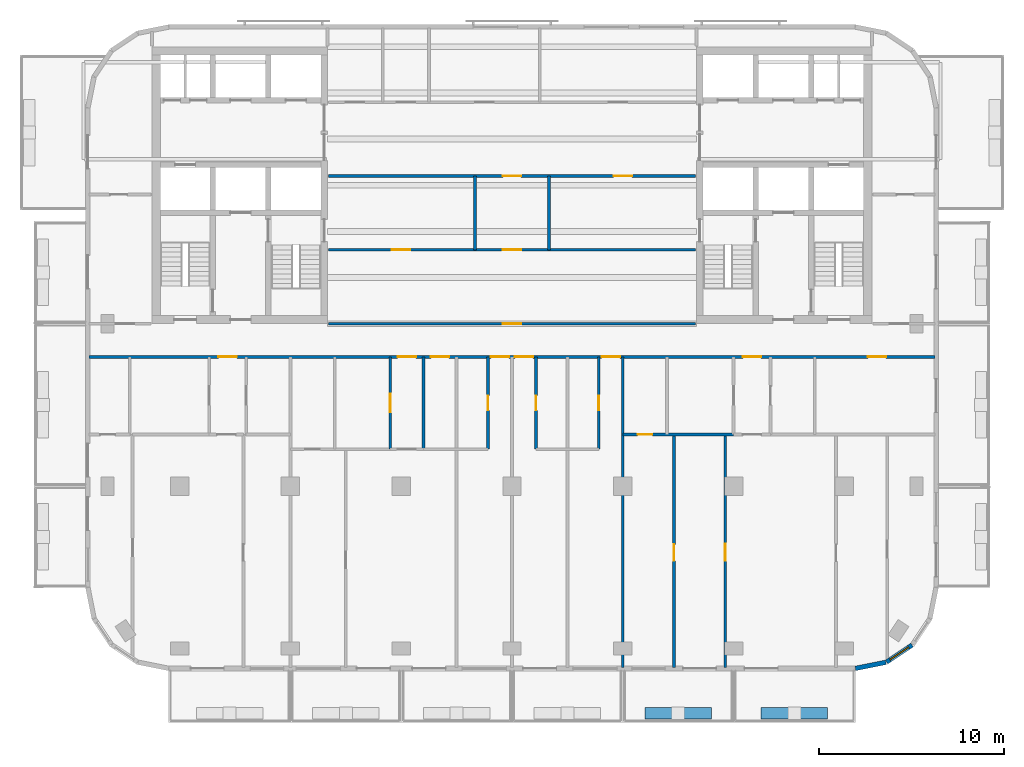
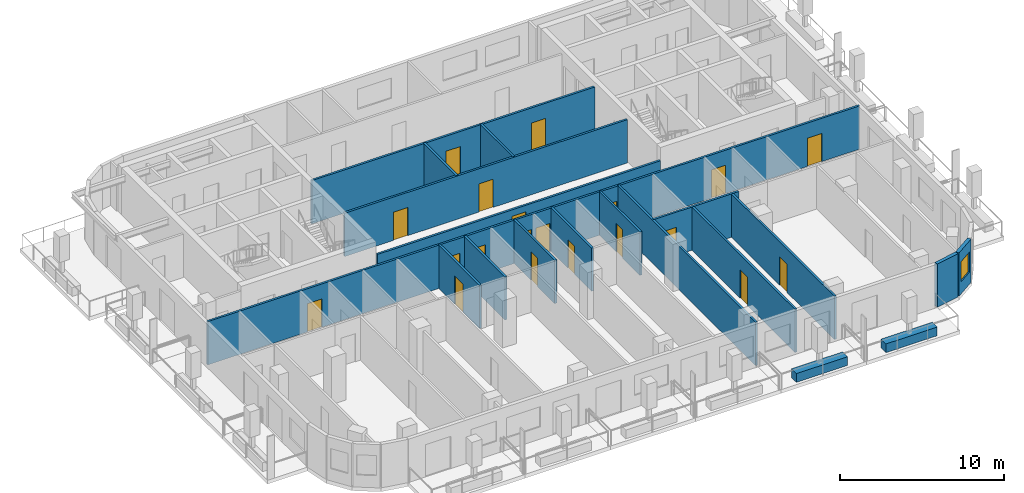
# One storey, part 4 of 11: 20 doors, 19 walls, 1 window, 21 openings.
"""IFC4 building model written with IfcOpenShell, lengths in metres."""

from ifc_helpers import new_model, si_unit, direction, frame, frame_2d, origin, place, context, subcontext, project, spatial, rectangle, extrude, material, layer, layer_set, type_object, element, fill, save


model = new_model("IFC4")

# Units and contexts
model_context = context("Model", 3, precision=1e-05, world=origin(), true_north=direction((0.0, 1.0)))
body_context = subcontext(model_context, "Body", "Model", "MODEL_VIEW")
ifc_project = project(units=[si_unit("LENGTHUNIT", "METRE"), si_unit("AREAUNIT", "SQUARE_METRE"), si_unit("VOLUMEUNIT", "CUBIC_METRE"), si_unit("PLANEANGLEUNIT", "RADIAN"), si_unit("MASSUNIT", "GRAM", prefix="KILO")], contexts=[model_context])

# Site, building, storey
site_placement = place(None, origin())
site = spatial("IfcSite", under=ifc_project, at=site_placement, CompositionType="ELEMENT")
building_placement = place(site_placement, origin())
building = spatial("IfcBuilding", under=site, at=building_placement, Name="Torana Hotel and Residences", CompositionType="ELEMENT")
storey_placement = place(building_placement, frame((0.0, 0.0, 291.10009765625)))
storey = spatial("IfcBuildingStorey", under=building, at=storey_placement, Name="L77", CompositionType="ELEMENT", Elevation=291.10009765625)

# Wall
ifc_material_1 = material(Name="Black aluminium composite panel", Category="aluminium")
ifc_layer_1 = layer(ifc_material_1, 0.00390625, Name="Cladding", Category="cladding")
ifc_material_2 = material(Name="Ventilated air cavity")
ifc_layer_2 = layer(ifc_material_2, 0.0400390625, Name="Ventilated cavity", Category="cavity")
ifc_material_3 = material(Name="Mineral wool insulation")
ifc_layer_3 = layer(ifc_material_3, 0.090087890625, Name="Insulation", Category="insulation")
ifc_material_4 = material(Name="Steel S280GD", Category="steel")
ifc_layer_4 = layer(ifc_material_4, 0.092041015625, Name="Steel stud frame", Category="structure")
ifc_material_5 = material(Name="Fire rated plasterboard")
ifc_layer_5 = layer(ifc_material_5, 0.011962890625, Name="Inner board", Category="finish")
ifc_layer_6 = layer(ifc_material_5, 0.011962890625, Name="Second board", Category="finish")
ifc_layer_set_1 = layer_set([ifc_layer_1, ifc_layer_2, ifc_layer_3, ifc_layer_4, ifc_layer_5, ifc_layer_6], Name="EW1 EXTERNAL WALL BLACK METAL CLAD 250")
wall_type_1 = type_object("IfcWallType", Name="EW1 EXTERNAL WALL BLACK METAL CLAD 250", PredefinedType="SOLIDWALL", material=ifc_layer_set_1)
wall_1_placement = place(storey_placement, frame((18.599853515625, -33.672607421875, 0.0), z_axis=(0.0, 0.0, 1.0), x_axis=(0.980770110232, 0.195166572128, 0.0)))
element("IfcWall", 1, at=wall_1_placement, inside=storey, type_object=wall_type_1, Name="External wall L77 e0.15", PredefinedType="SOLIDWALL", context=body_context, shape_type="SweptSolid", body=[
    extrude(rectangle(XDim=1.68115234375, YDim=0.25, at=frame_2d((0.840576171875, 0.0))), origin(), (0.0, 0.0, 1.0), 3.219970703125),
])

# Wall, opening, window
wall_2_placement = place(storey_placement, frame((20.2939453125, -33.325927734375, 0.0), z_axis=(0.0, 0.0, 1.0), x_axis=(0.831482937015, 0.55555029066, 0.0)))
wall_2 = element("IfcWall", 2, at=wall_2_placement, inside=storey, type_object=wall_type_1, Name="External wall L77 e0.16", PredefinedType="SOLIDWALL", context=body_context, shape_type="SweptSolid", body=[
    extrude(rectangle(XDim=1.65625, YDim=0.25, at=frame_2d((0.828125, 0.0))), origin(), (0.0, 0.0, 1.0), 3.219970703125),
])
opening_1_placement = place(wall_2_placement, frame((0.228271484375, 0.0, 0.89990234375)))
opening_1 = element("IfcOpeningElement", 3, at=opening_1_placement, cuts=wall_2, Name="Opening W5", PredefinedType="OPENING", context=body_context, shape_type="SweptSolid", body=[
    extrude(rectangle(XDim=1.199951171875, YDim=1.5, at=frame_2d((0.60009765625, 0.75))), frame((0.0, 0.135009765625, 0.0), z_axis=(0.0, -1.0, 0.0), x_axis=(1.0, 0.0, 0.0)), (0.0, 0.0, 1.0), 0.27001953125),
])
ifc_material_6 = material(Name="Dark glass in black aluminium frame", Category="aluminium")
window_type = type_object("IfcWindowType", Name="W5 CORNER FACET WINDOW 1200x1500", PartitioningType="SINGLE_PANEL", PredefinedType="WINDOW", material=ifc_material_6)
window_placement = place(opening_1_placement, origin())
window = element("IfcWindow", 4, at=window_placement, inside=storey, type_object=window_type, Name="Window L77 e0.16", OverallHeight=1.5, OverallWidth=1.199951171875, PartitioningType="SINGLE_PANEL", PredefinedType="WINDOW", context=body_context, shape_type="SweptSolid", body=[
    extrude(rectangle(XDim=1.199951171875, YDim=1.5, at=frame_2d((0.60009765625, 0.75))), frame((0.0, 0.030029296875, 0.0), z_axis=(0.0, -1.0, 0.0), x_axis=(1.0, 0.0, 0.0)), (0.0, 0.0, 1.0), 0.06005859375),
])
fill(opening_1, window)

# Walls
ifc_material_7 = material(Name="Gypsum plaster")
ifc_layer_7 = layer(ifc_material_7, 0.014892578125, Name="Plaster", Category="finish")
ifc_material_8 = material(Name="Concrete blockwork", Category="masonry")
ifc_layer_8 = layer(ifc_material_8, 0.1201171875, Name="Blockwork", Category="structure")
ifc_layer_9 = layer(ifc_material_7, 0.014892578125, Name="Plaster", Category="finish")
ifc_layer_set_2 = layer_set([ifc_layer_7, ifc_layer_8, ifc_layer_9], Name="FIRE PARTITION 150 BLOCKWORK")
wall_type_2 = type_object("IfcWallType", Name="FIRE PARTITION 150 BLOCKWORK", PredefinedType="PARTITIONING", material=ifc_layer_set_2)
for number, where, z_axis, x_axis, name in (
    (5, (2.0, -11.0, 0.0), (0.0, 0.0, 1.0), (0.0, 1.0, 0.0), "Partition L77"),
    (6, (-2.0, -11.0, 0.0), (0.0, 0.0, 1.0), (0.0, 1.0, 0.0), "Partition L77"),
):
    element("IfcWall", number, at=place(storey_placement, frame(where, z_axis=z_axis, x_axis=x_axis)), inside=storey, type_object=wall_type_2, Name=name, PredefinedType="PARTITIONING", context=body_context, shape_type="SweptSolid", body=[
        extrude(rectangle(XDim=4.0, YDim=0.14990234375, at=frame_2d((2.0, 0.0))), origin(), (0.0, 0.0, 1.0), 3.219970703125),
    ])
wall_3_placement = place(storey_placement, frame((-4.800048828125, -21.800048828125, 0.0), z_axis=(0.0, 0.0, 1.0), x_axis=(0.0, 1.0, 0.0)))
element("IfcWall", 7, at=wall_3_placement, inside=storey, type_object=wall_type_2, Name="Partition L77", PredefinedType="PARTITIONING", context=body_context, shape_type="SweptSolid", body=[
    extrude(rectangle(XDim=5.0, YDim=0.14990234375, at=frame_2d((2.5, 0.0))), origin(), (0.0, 0.0, 1.0), 3.219970703125),
])

# Wall, opening, door
wall_4_placement = place(storey_placement, frame((-6.60009765625, -21.800048828125, 0.0), z_axis=(0.0, 0.0, 1.0), x_axis=(0.0, 1.0, 0.0)))
wall_4 = element("IfcWall", 8, at=wall_4_placement, inside=storey, type_object=wall_type_2, Name="Partition L77", PredefinedType="PARTITIONING", context=body_context, shape_type="SweptSolid", body=[
    extrude(rectangle(XDim=5.0, YDim=0.14990234375, at=frame_2d((2.5, 0.0))), origin(), (0.0, 0.0, 1.0), 3.219970703125),
])
opening_2_placement = place(wall_4_placement, frame((2.0, 0.0, 0.0)))
opening_2 = element("IfcOpeningElement", 9, at=opening_2_placement, cuts=wall_4, Name="Opening L77-39", PredefinedType="OPENING", context=body_context, shape_type="SweptSolid", body=[
    extrude(rectangle(XDim=1.0, YDim=2.10009765625, at=frame_2d((0.5, 1.050048828125))), frame((0.0, 0.0849609375, 0.0), z_axis=(0.0, -1.0, 0.0), x_axis=(1.0, 0.0, 0.0)), (0.0, 0.0, 1.0), 0.169921875),
])
ifc_material_9 = material(Name="Steel S235", Category="steel")
door_type_1 = type_object("IfcDoorType", Name="ENTRY FIRE DOOR D6 1000x2100", OperationType="SINGLE_SWING_LEFT", PredefinedType="DOOR", material=ifc_material_9)
door_1_placement = place(opening_2_placement, origin())
door_1 = element("IfcDoor", 10, at=door_1_placement, inside=storey, type_object=door_type_1, Name="Door L77", OperationType="SINGLE_SWING_RIGHT", OverallHeight=2.10009765625, OverallWidth=1.0, PredefinedType="DOOR", context=body_context, shape_type="SweptSolid", body=[
    extrude(rectangle(XDim=1.0, YDim=2.10009765625, at=frame_2d((0.5, 1.050048828125))), frame((0.0, 0.02490234375, 0.0), z_axis=(0.0, -1.0, 0.0), x_axis=(1.0, 0.0, 0.0)), (0.0, 0.0, 1.0), 0.050048828125),
])
fill(opening_2, door_1)

# Wall, openings, doors
wall_5_placement = place(storey_placement, frame((-22.919921875, -16.800048828125, 0.0), z_axis=(0.0, 0.0, 1.0), x_axis=(1.0, 0.0, 0.0)))
wall_5 = element("IfcWall", 11, at=wall_5_placement, inside=storey, type_object=wall_type_2, Name="Partition L77", PredefinedType="PARTITIONING", context=body_context, shape_type="SweptSolid", body=[
    extrude(rectangle(XDim=45.83984375, YDim=0.14990234375, at=frame_2d((22.919921875, 0.0))), origin(), (0.0, 0.0, 1.0), 3.219970703125),
])
opening_3_placement = place(wall_5_placement, frame((16.719970703125, 0.0, 0.0)))
opening_3 = element("IfcOpeningElement", 12, at=opening_3_placement, cuts=wall_5, Name="Opening L77-20", PredefinedType="OPENING", context=body_context, shape_type="SweptSolid", body=[
    extrude(rectangle(XDim=1.0, YDim=2.10009765625, at=frame_2d((0.5, 1.050048828125))), frame((0.0, 0.0849609375, 0.0), z_axis=(0.0, -1.0, 0.0), x_axis=(1.0, 0.0, 0.0)), (0.0, 0.0, 1.0), 0.169921875),
])
opening_4_placement = place(wall_5_placement, frame((18.52001953125, 0.0, 0.0)))
opening_4 = element("IfcOpeningElement", 13, at=opening_4_placement, cuts=wall_5, Name="Opening L77-21", PredefinedType="OPENING", context=body_context, shape_type="SweptSolid", body=[
    extrude(rectangle(XDim=1.0, YDim=2.10009765625, at=frame_2d((0.5, 1.050048828125))), frame((0.0, 0.0849609375, 0.0), z_axis=(0.0, -1.0, 0.0), x_axis=(1.0, 0.0, 0.0)), (0.0, 0.0, 1.0), 0.169921875),
])
opening_5_placement = place(wall_5_placement, frame((21.77001953125, 0.0, 0.0)))
opening_5 = element("IfcOpeningElement", 14, at=opening_5_placement, cuts=wall_5, Name="Opening L77-22", PredefinedType="OPENING", context=body_context, shape_type="SweptSolid", body=[
    extrude(rectangle(XDim=1.0, YDim=2.10009765625, at=frame_2d((0.5, 1.050048828125))), frame((0.0, 0.0849609375, 0.0), z_axis=(0.0, -1.0, 0.0), x_axis=(1.0, 0.0, 0.0)), (0.0, 0.0, 1.0), 0.169921875),
])
opening_6_placement = place(wall_5_placement, frame((23.070068359375, 0.0, 0.0)))
opening_6 = element("IfcOpeningElement", 15, at=opening_6_placement, cuts=wall_5, Name="Opening L77-23", PredefinedType="OPENING", context=body_context, shape_type="SweptSolid", body=[
    extrude(rectangle(XDim=1.0, YDim=2.10009765625, at=frame_2d((0.5, 1.050048828125))), frame((0.0, 0.0849609375, 0.0), z_axis=(0.0, -1.0, 0.0), x_axis=(1.0, 0.0, 0.0)), (0.0, 0.0, 1.0), 0.169921875),
])
opening_7_placement = place(wall_5_placement, frame((27.77001953125, 0.0, 0.0)))
opening_7 = element("IfcOpeningElement", 16, at=opening_7_placement, cuts=wall_5, Name="Opening L77-24", PredefinedType="OPENING", context=body_context, shape_type="SweptSolid", body=[
    extrude(rectangle(XDim=1.0, YDim=2.10009765625, at=frame_2d((0.5, 1.050048828125))), frame((0.0, 0.0849609375, 0.0), z_axis=(0.0, -1.0, 0.0), x_axis=(1.0, 0.0, 0.0)), (0.0, 0.0, 1.0), 0.169921875),
])
opening_8_placement = place(wall_5_placement, frame((7.02001953125, 0.0, 0.0)))
opening_8 = element("IfcOpeningElement", 17, at=opening_8_placement, cuts=wall_5, Name="Opening L77-25", PredefinedType="OPENING", context=body_context, shape_type="SweptSolid", body=[
    extrude(rectangle(XDim=1.0, YDim=2.10009765625, at=frame_2d((0.5, 1.050048828125))), frame((0.0, 0.0849609375, 0.0), z_axis=(0.0, -1.0, 0.0), x_axis=(1.0, 0.0, 0.0)), (0.0, 0.0, 1.0), 0.169921875),
])
opening_9_placement = place(wall_5_placement, frame((35.419921875, 0.0, 0.0)))
opening_9 = element("IfcOpeningElement", 18, at=opening_9_placement, cuts=wall_5, Name="Opening L77-26", PredefinedType="OPENING", context=body_context, shape_type="SweptSolid", body=[
    extrude(rectangle(XDim=1.0, YDim=2.10009765625, at=frame_2d((0.5, 1.050048828125))), frame((0.0, 0.0849609375, 0.0), z_axis=(0.0, -1.0, 0.0), x_axis=(1.0, 0.0, 0.0)), (0.0, 0.0, 1.0), 0.169921875),
])
opening_10_placement = place(wall_5_placement, frame((42.18994140625, 0.0, 0.0)))
opening_10 = element("IfcOpeningElement", 19, at=opening_10_placement, cuts=wall_5, Name="Opening L77-27", PredefinedType="OPENING", context=body_context, shape_type="SweptSolid", body=[
    extrude(rectangle(XDim=1.0, YDim=2.10009765625, at=frame_2d((0.5, 1.050048828125))), frame((0.0, 0.0849609375, 0.0), z_axis=(0.0, -1.0, 0.0), x_axis=(1.0, 0.0, 0.0)), (0.0, 0.0, 1.0), 0.169921875),
])
door_2_placement = place(opening_3_placement, origin())
door_2 = element("IfcDoor", 20, at=door_2_placement, inside=storey, type_object=door_type_1, Name="Door L77", OperationType="SINGLE_SWING_RIGHT", OverallHeight=2.10009765625, OverallWidth=1.0, PredefinedType="DOOR", context=body_context, shape_type="SweptSolid", body=[
    extrude(rectangle(XDim=1.0, YDim=2.10009765625, at=frame_2d((0.5, 1.050048828125))), frame((0.0, 0.02490234375, 0.0), z_axis=(0.0, -1.0, 0.0), x_axis=(1.0, 0.0, 0.0)), (0.0, 0.0, 1.0), 0.050048828125),
])
fill(opening_3, door_2)
door_3_placement = place(opening_4_placement, frame((0.5, 0.0, 0.0), z_axis=(0.0, 0.0, 1.0), x_axis=(-1.0, 0.0, 0.0)))
door_3 = element("IfcDoor", 21, at=door_3_placement, inside=storey, type_object=door_type_1, Name="Door L77", OperationType="SINGLE_SWING_LEFT", OverallHeight=2.10009765625, OverallWidth=1.0, PredefinedType="DOOR", context=body_context, shape_type="SweptSolid", body=[
    extrude(rectangle(XDim=1.0, YDim=2.10009765625, at=frame_2d((0.0, 1.050048828125))), frame((0.0, -0.02490234375, 0.0), z_axis=(0.0, 1.0, 0.0), x_axis=(-1.0, 0.0, 0.0)), (0.0, 0.0, 1.0), 0.050048828125),
])
fill(opening_4, door_3)
door_4_placement = place(opening_5_placement, frame((0.5, 0.0, 0.0), z_axis=(0.0, 0.0, 1.0), x_axis=(-1.0, 0.0, 0.0)))
door_4 = element("IfcDoor", 22, at=door_4_placement, inside=storey, type_object=door_type_1, Name="Door L77", OperationType="SINGLE_SWING_LEFT", OverallHeight=2.10009765625, OverallWidth=1.0, PredefinedType="DOOR", context=body_context, shape_type="SweptSolid", body=[
    extrude(rectangle(XDim=1.0, YDim=2.10009765625, at=frame_2d((0.0, 1.050048828125))), frame((0.0, -0.02490234375, 0.0), z_axis=(0.0, 1.0, 0.0), x_axis=(-1.0, 0.0, 0.0)), (0.0, 0.0, 1.0), 0.050048828125),
])
fill(opening_5, door_4)
door_5_placement = place(opening_6_placement, frame((0.5, 0.0, 0.0), z_axis=(0.0, 0.0, 1.0), x_axis=(-1.0, 0.0, 0.0)))
door_5 = element("IfcDoor", 23, at=door_5_placement, inside=storey, type_object=door_type_1, Name="Door L77", OperationType="SINGLE_SWING_LEFT", OverallHeight=2.10009765625, OverallWidth=1.0, PredefinedType="DOOR", context=body_context, shape_type="SweptSolid", body=[
    extrude(rectangle(XDim=1.0, YDim=2.10009765625, at=frame_2d((0.0, 1.050048828125))), frame((0.0, -0.02490234375, 0.0), z_axis=(0.0, 1.0, 0.0), x_axis=(-1.0, 0.0, 0.0)), (0.0, 0.0, 1.0), 0.050048828125),
])
fill(opening_6, door_5)
door_6_placement = place(opening_7_placement, frame((0.5, 0.0, 0.0), z_axis=(0.0, 0.0, 1.0), x_axis=(-1.0, 0.0, 0.0)))
door_6 = element("IfcDoor", 24, at=door_6_placement, inside=storey, type_object=door_type_1, Name="Door L77", OperationType="SINGLE_SWING_LEFT", OverallHeight=2.10009765625, OverallWidth=1.0, PredefinedType="DOOR", context=body_context, shape_type="SweptSolid", body=[
    extrude(rectangle(XDim=1.0, YDim=2.10009765625, at=frame_2d((0.0, 1.050048828125))), frame((0.0, -0.02490234375, 0.0), z_axis=(0.0, 1.0, 0.0), x_axis=(-1.0, 0.0, 0.0)), (0.0, 0.0, 1.0), 0.050048828125),
])
fill(opening_7, door_6)
door_7_placement = place(opening_8_placement, origin())
door_7 = element("IfcDoor", 25, at=door_7_placement, inside=storey, type_object=door_type_1, Name="Door L77", OperationType="SINGLE_SWING_RIGHT", OverallHeight=2.10009765625, OverallWidth=1.0, PredefinedType="DOOR", context=body_context, shape_type="SweptSolid", body=[
    extrude(rectangle(XDim=1.0, YDim=2.10009765625, at=frame_2d((0.5, 1.050048828125))), frame((0.0, 0.02490234375, 0.0), z_axis=(0.0, -1.0, 0.0), x_axis=(1.0, 0.0, 0.0)), (0.0, 0.0, 1.0), 0.050048828125),
])
fill(opening_8, door_7)
door_8_placement = place(opening_9_placement, origin())
door_8 = element("IfcDoor", 26, at=door_8_placement, inside=storey, type_object=door_type_1, Name="Door L77", OperationType="SINGLE_SWING_RIGHT", OverallHeight=2.10009765625, OverallWidth=1.0, PredefinedType="DOOR", context=body_context, shape_type="SweptSolid", body=[
    extrude(rectangle(XDim=1.0, YDim=2.10009765625, at=frame_2d((0.5, 1.050048828125))), frame((0.0, 0.02490234375, 0.0), z_axis=(0.0, -1.0, 0.0), x_axis=(1.0, 0.0, 0.0)), (0.0, 0.0, 1.0), 0.050048828125),
])
fill(opening_9, door_8)
door_9_placement = place(opening_10_placement, frame((0.5, 0.0, 0.0), z_axis=(0.0, 0.0, 1.0), x_axis=(-1.0, 0.0, 0.0)))
door_9 = element("IfcDoor", 27, at=door_9_placement, inside=storey, type_object=door_type_1, Name="Door L77", OperationType="SINGLE_SWING_LEFT", OverallHeight=2.10009765625, OverallWidth=1.0, PredefinedType="DOOR", context=body_context, shape_type="SweptSolid", body=[
    extrude(rectangle(XDim=1.0, YDim=2.10009765625, at=frame_2d((0.0, 1.050048828125))), frame((0.0, -0.02490234375, 0.0), z_axis=(0.0, 1.0, 0.0), x_axis=(-1.0, 0.0, 0.0)), (0.0, 0.0, 1.0), 0.050048828125),
])
fill(opening_10, door_9)

# Wall, opening, door
wall_6_placement = place(storey_placement, frame((-9.949951171875, -15.0, 0.0), z_axis=(0.0, 0.0, 1.0), x_axis=(1.0, 0.0, 0.0)))
wall_6 = element("IfcWall", 28, at=wall_6_placement, inside=storey, type_object=wall_type_2, Name="Partition L77", PredefinedType="PARTITIONING", context=body_context, shape_type="SweptSolid", body=[
    extrude(rectangle(XDim=19.89990234375, YDim=0.14990234375, at=frame_2d((9.949951171875, 0.0))), origin(), (0.0, 0.0, 1.0), 2.583984375),
])
opening_11_placement = place(wall_6_placement, frame((9.449951171875, 0.0, 0.0)))
opening_11 = element("IfcOpeningElement", 29, at=opening_11_placement, cuts=wall_6, Name="Opening L77-19", PredefinedType="OPENING", context=body_context, shape_type="SweptSolid", body=[
    extrude(rectangle(XDim=1.0, YDim=2.10009765625, at=frame_2d((0.5, 1.050048828125))), frame((0.0, 0.0849609375, 0.0), z_axis=(0.0, -1.0, 0.0), x_axis=(1.0, 0.0, 0.0)), (0.0, 0.0, 1.0), 0.169921875),
])
door_10_placement = place(opening_11_placement, origin())
door_10 = element("IfcDoor", 30, at=door_10_placement, inside=storey, type_object=door_type_1, Name="Door L77", OperationType="SINGLE_SWING_RIGHT", OverallHeight=2.10009765625, OverallWidth=1.0, PredefinedType="DOOR", context=body_context, shape_type="SweptSolid", body=[
    extrude(rectangle(XDim=1.0, YDim=2.10009765625, at=frame_2d((0.5, 1.050048828125))), frame((0.0, 0.02490234375, 0.0), z_axis=(0.0, -1.0, 0.0), x_axis=(1.0, 0.0, 0.0)), (0.0, 0.0, 1.0), 0.050048828125),
])
fill(opening_11, door_10)

# Wall, openings, doors
wall_7_placement = place(storey_placement, frame((-9.949951171875, -11.0, 0.0), z_axis=(0.0, 0.0, 1.0), x_axis=(1.0, 0.0, 0.0)))
wall_7 = element("IfcWall", 31, at=wall_7_placement, inside=storey, type_object=wall_type_2, Name="Partition L77", PredefinedType="PARTITIONING", context=body_context, shape_type="SweptSolid", body=[
    extrude(rectangle(XDim=19.89990234375, YDim=0.14990234375, at=frame_2d((9.949951171875, 0.0))), origin(), (0.0, 0.0, 1.0), 3.219970703125),
])
opening_12_placement = place(wall_7_placement, frame((9.449951171875, 0.0, 0.0)))
opening_12 = element("IfcOpeningElement", 32, at=opening_12_placement, cuts=wall_7, Name="Opening L77-30", PredefinedType="OPENING", context=body_context, shape_type="SweptSolid", body=[
    extrude(rectangle(XDim=1.0, YDim=2.10009765625, at=frame_2d((0.5, 1.050048828125))), frame((0.0, 0.0849609375, 0.0), z_axis=(0.0, -1.0, 0.0), x_axis=(1.0, 0.0, 0.0)), (0.0, 0.0, 1.0), 0.169921875),
])
opening_13_placement = place(wall_7_placement, frame((3.449951171875, 0.0, 0.0)))
opening_13 = element("IfcOpeningElement", 33, at=opening_13_placement, cuts=wall_7, Name="Opening L77-31", PredefinedType="OPENING", context=body_context, shape_type="SweptSolid", body=[
    extrude(rectangle(XDim=1.0, YDim=2.10009765625, at=frame_2d((0.5, 1.050048828125))), frame((0.0, 0.0849609375, 0.0), z_axis=(0.0, -1.0, 0.0), x_axis=(1.0, 0.0, 0.0)), (0.0, 0.0, 1.0), 0.169921875),
])
door_11_placement = place(opening_12_placement, origin())
door_11 = element("IfcDoor", 34, at=door_11_placement, inside=storey, type_object=door_type_1, Name="Door L77", OperationType="SINGLE_SWING_RIGHT", OverallHeight=2.10009765625, OverallWidth=1.0, PredefinedType="DOOR", context=body_context, shape_type="SweptSolid", body=[
    extrude(rectangle(XDim=1.0, YDim=2.10009765625, at=frame_2d((0.5, 1.050048828125))), frame((0.0, 0.02490234375, 0.0), z_axis=(0.0, -1.0, 0.0), x_axis=(1.0, 0.0, 0.0)), (0.0, 0.0, 1.0), 0.050048828125),
])
fill(opening_12, door_11)
door_12_placement = place(opening_13_placement, origin())
door_12 = element("IfcDoor", 35, at=door_12_placement, inside=storey, type_object=door_type_1, Name="Door L77", OperationType="SINGLE_SWING_RIGHT", OverallHeight=2.10009765625, OverallWidth=1.0, PredefinedType="DOOR", context=body_context, shape_type="SweptSolid", body=[
    extrude(rectangle(XDim=1.0, YDim=2.10009765625, at=frame_2d((0.5, 1.050048828125))), frame((0.0, 0.02490234375, 0.0), z_axis=(0.0, -1.0, 0.0), x_axis=(1.0, 0.0, 0.0)), (0.0, 0.0, 1.0), 0.050048828125),
])
fill(opening_13, door_12)

wall_8_placement = place(storey_placement, frame((-9.949951171875, -7.0, 0.0), z_axis=(0.0, 0.0, 1.0), x_axis=(1.0, 0.0, 0.0)))
wall_8 = element("IfcWall", 36, at=wall_8_placement, inside=storey, type_object=wall_type_2, Name="Partition L77", PredefinedType="PARTITIONING", context=body_context, shape_type="SweptSolid", body=[
    extrude(rectangle(XDim=19.89990234375, YDim=0.14990234375, at=frame_2d((9.949951171875, 0.0))), origin(), (0.0, 0.0, 1.0), 3.219970703125),
])
opening_14_placement = place(wall_8_placement, frame((9.449951171875, 0.0, 0.0)))
opening_14 = element("IfcOpeningElement", 37, at=opening_14_placement, cuts=wall_8, Name="Opening L77-32", PredefinedType="OPENING", context=body_context, shape_type="SweptSolid", body=[
    extrude(rectangle(XDim=1.0, YDim=2.10009765625, at=frame_2d((0.5, 1.050048828125))), frame((0.0, 0.0849609375, 0.0), z_axis=(0.0, -1.0, 0.0), x_axis=(1.0, 0.0, 0.0)), (0.0, 0.0, 1.0), 0.169921875),
])
opening_15_placement = place(wall_8_placement, frame((15.449951171875, 0.0, 0.0)))
opening_15 = element("IfcOpeningElement", 38, at=opening_15_placement, cuts=wall_8, Name="Opening L77-33", PredefinedType="OPENING", context=body_context, shape_type="SweptSolid", body=[
    extrude(rectangle(XDim=1.0, YDim=2.10009765625, at=frame_2d((0.5, 1.050048828125))), frame((0.0, 0.0849609375, 0.0), z_axis=(0.0, -1.0, 0.0), x_axis=(1.0, 0.0, 0.0)), (0.0, 0.0, 1.0), 0.169921875),
])
door_13_placement = place(opening_14_placement, origin())
door_13 = element("IfcDoor", 39, at=door_13_placement, inside=storey, type_object=door_type_1, Name="Door L77", OperationType="SINGLE_SWING_RIGHT", OverallHeight=2.10009765625, OverallWidth=1.0, PredefinedType="DOOR", context=body_context, shape_type="SweptSolid", body=[
    extrude(rectangle(XDim=1.0, YDim=2.10009765625, at=frame_2d((0.5, 1.050048828125))), frame((0.0, 0.02490234375, 0.0), z_axis=(0.0, -1.0, 0.0), x_axis=(1.0, 0.0, 0.0)), (0.0, 0.0, 1.0), 0.050048828125),
])
fill(opening_14, door_13)
door_14_placement = place(opening_15_placement, frame((0.5, 0.0, 0.0), z_axis=(0.0, 0.0, 1.0), x_axis=(-1.0, 0.0, 0.0)))
door_14 = element("IfcDoor", 40, at=door_14_placement, inside=storey, type_object=door_type_1, Name="Door L77", OperationType="SINGLE_SWING_LEFT", OverallHeight=2.10009765625, OverallWidth=1.0, PredefinedType="DOOR", context=body_context, shape_type="SweptSolid", body=[
    extrude(rectangle(XDim=1.0, YDim=2.10009765625, at=frame_2d((0.0, 1.050048828125))), frame((0.0, -0.02490234375, 0.0), z_axis=(0.0, 1.0, 0.0), x_axis=(-1.0, 0.0, 0.0)), (0.0, 0.0, 1.0), 0.050048828125),
])
fill(opening_15, door_14)

# Wall, opening, door
ifc_material_10 = material(Name="Gypsum plasterboard")
ifc_layer_10 = layer(ifc_material_10, 0.012451171875, Name="Plasterboard", Category="finish")
ifc_layer_11 = layer(ifc_material_10, 0.012451171875, Name="Plasterboard", Category="finish")
ifc_layer_12 = layer(ifc_material_4, 0.10009765625, Name="Steel studs with mineral wool", Category="insulation")
ifc_layer_13 = layer(ifc_material_10, 0.012451171875, Name="Plasterboard", Category="finish")
ifc_layer_14 = layer(ifc_material_10, 0.012451171875, Name="Plasterboard", Category="finish")
ifc_layer_set_3 = layer_set([ifc_layer_10, ifc_layer_11, ifc_layer_12, ifc_layer_13, ifc_layer_14], Name="PARTITION 150 PLASTERBOARD")
wall_type_3 = type_object("IfcWallType", Name="PARTITION 150 PLASTERBOARD", PredefinedType="PARTITIONING", material=ifc_layer_set_3)
wall_9_placement = place(storey_placement, frame((11.550048828125, -33.6201171875, 0.0), z_axis=(0.0, 0.0, 1.0), x_axis=(0.0, 1.0, 0.0)))
wall_9 = element("IfcWall", 41, at=wall_9_placement, inside=storey, type_object=wall_type_3, Name="Partition L77", PredefinedType="PARTITIONING", context=body_context, shape_type="SweptSolid", body=[
    extrude(rectangle(XDim=12.6201171875, YDim=0.14990234375, at=frame_2d((6.31005859375, 0.0))), origin(), (0.0, 0.0, 1.0), 3.219970703125),
])
opening_16_placement = place(wall_9_placement, frame((5.7900390625, 0.0, 0.0)))
opening_16 = element("IfcOpeningElement", 42, at=opening_16_placement, cuts=wall_9, Name="Opening L77-55", PredefinedType="OPENING", context=body_context, shape_type="SweptSolid", body=[
    extrude(rectangle(XDim=0.89990234375, YDim=2.10009765625, at=frame_2d((0.449951171875, 1.050048828125))), frame((0.0, 0.0849609375, 0.0), z_axis=(0.0, -1.0, 0.0), x_axis=(1.0, 0.0, 0.0)), (0.0, 0.0, 1.0), 0.169921875),
])
ifc_material_11 = material(Name="Timber door, oiled ash", Category="wood")
door_type_2 = type_object("IfcDoorType", Name="ROOM DOOR D7 900x2100", OperationType="SINGLE_SWING_LEFT", PredefinedType="DOOR", material=ifc_material_11)
door_15_placement = place(opening_16_placement, origin())
door_15 = element("IfcDoor", 43, at=door_15_placement, inside=storey, type_object=door_type_2, Name="Door L77", OperationType="SINGLE_SWING_RIGHT", OverallHeight=2.10009765625, OverallWidth=0.89990234375, PredefinedType="DOOR", context=body_context, shape_type="SweptSolid", body=[
    extrude(rectangle(XDim=0.89990234375, YDim=2.10009765625, at=frame_2d((0.449951171875, 1.050048828125))), frame((0.0, 0.02490234375, 0.0), z_axis=(0.0, -1.0, 0.0), x_axis=(1.0, 0.0, 0.0)), (0.0, 0.0, 1.0), 0.050048828125),
])
fill(opening_16, door_15)

wall_10_placement = place(storey_placement, frame((8.77490234375, -33.6201171875, 0.0), z_axis=(0.0, 0.0, 1.0), x_axis=(0.0, 1.0, 0.0)))
wall_10 = element("IfcWall", 44, at=wall_10_placement, inside=storey, type_object=wall_type_3, Name="Partition L77", PredefinedType="PARTITIONING", context=body_context, shape_type="SweptSolid", body=[
    extrude(rectangle(XDim=12.6201171875, YDim=0.14990234375, at=frame_2d((6.31005859375, 0.0))), origin(), (0.0, 0.0, 1.0), 3.219970703125),
])
opening_17_placement = place(wall_10_placement, frame((5.77001953125, 0.0, 0.0)))
opening_17 = element("IfcOpeningElement", 45, at=opening_17_placement, cuts=wall_10, Name="Opening L77-57", PredefinedType="OPENING", context=body_context, shape_type="SweptSolid", body=[
    extrude(rectangle(XDim=0.89990234375, YDim=2.10009765625, at=frame_2d((0.449951171875, 1.050048828125))), frame((0.0, 0.0849609375, 0.0), z_axis=(0.0, -1.0, 0.0), x_axis=(1.0, 0.0, 0.0)), (0.0, 0.0, 1.0), 0.169921875),
])
door_16_placement = place(opening_17_placement, origin())
door_16 = element("IfcDoor", 46, at=door_16_placement, inside=storey, type_object=door_type_2, Name="Door L77", OperationType="SINGLE_SWING_RIGHT", OverallHeight=2.10009765625, OverallWidth=0.89990234375, PredefinedType="DOOR", context=body_context, shape_type="SweptSolid", body=[
    extrude(rectangle(XDim=0.89990234375, YDim=2.10009765625, at=frame_2d((0.449951171875, 1.050048828125))), frame((0.0, 0.02490234375, 0.0), z_axis=(0.0, -1.0, 0.0), x_axis=(1.0, 0.0, 0.0)), (0.0, 0.0, 1.0), 0.050048828125),
])
fill(opening_17, door_16)

# Wall
wall_11_placement = place(storey_placement, frame((6.0, -33.6201171875, 0.0), z_axis=(0.0, 0.0, 1.0), x_axis=(0.0, 1.0, 0.0)))
element("IfcWall", 47, at=wall_11_placement, inside=storey, type_object=wall_type_3, Name="Partition L77", PredefinedType="PARTITIONING", context=body_context, shape_type="SweptSolid", body=[
    extrude(rectangle(XDim=16.820068359375, YDim=0.14990234375, at=frame_2d((8.41015625, 0.0))), origin(), (0.0, 0.0, 1.0), 3.219970703125),
])

# Wall, opening, door
wall_12_placement = place(storey_placement, frame((4.699951171875, -21.800048828125, 0.0), z_axis=(0.0, 0.0, 1.0), x_axis=(0.0, 1.0, 0.0)))
wall_12 = element("IfcWall", 48, at=wall_12_placement, inside=storey, type_object=wall_type_3, Name="Partition L77", PredefinedType="PARTITIONING", context=body_context, shape_type="SweptSolid", body=[
    extrude(rectangle(XDim=5.0, YDim=0.14990234375, at=frame_2d((2.5, 0.0))), origin(), (0.0, 0.0, 1.0), 3.219970703125),
])
opening_18_placement = place(wall_12_placement, frame((2.10009765625, 0.0, 0.0)))
opening_18 = element("IfcOpeningElement", 49, at=opening_18_placement, cuts=wall_12, Name="Opening L77-44", PredefinedType="OPENING", context=body_context, shape_type="SweptSolid", body=[
    extrude(rectangle(XDim=0.800048828125, YDim=2.10009765625, at=frame_2d((0.39990234375, 1.050048828125))), frame((0.0, 0.0849609375, 0.0), z_axis=(0.0, -1.0, 0.0), x_axis=(1.0, 0.0, 0.0)), (0.0, 0.0, 1.0), 0.169921875),
])
ifc_material_12 = material(Name="Timber door, painted", Category="wood")
door_type_3 = type_object("IfcDoorType", Name="BATH DOOR D13 800x2100", OperationType="SINGLE_SWING_LEFT", PredefinedType="DOOR", material=ifc_material_12)
door_17_placement = place(opening_18_placement, origin())
door_17 = element("IfcDoor", 50, at=door_17_placement, inside=storey, type_object=door_type_3, Name="Door L77", OperationType="SINGLE_SWING_RIGHT", OverallHeight=2.10009765625, OverallWidth=0.800048828125, PredefinedType="DOOR", context=body_context, shape_type="SweptSolid", body=[
    extrude(rectangle(XDim=0.800048828125, YDim=2.10009765625, at=frame_2d((0.39990234375, 1.050048828125))), frame((0.0, 0.02490234375, 0.0), z_axis=(0.0, -1.0, 0.0), x_axis=(1.0, 0.0, 0.0)), (0.0, 0.0, 1.0), 0.050048828125),
])
fill(opening_18, door_17)

wall_13_placement = place(storey_placement, frame((1.300048828125, -21.800048828125, 0.0), z_axis=(0.0, 0.0, 1.0), x_axis=(0.0, 1.0, 0.0)))
wall_13 = element("IfcWall", 51, at=wall_13_placement, inside=storey, type_object=wall_type_3, Name="Partition L77", PredefinedType="PARTITIONING", context=body_context, shape_type="SweptSolid", body=[
    extrude(rectangle(XDim=5.0, YDim=0.14990234375, at=frame_2d((2.5, 0.0))), origin(), (0.0, 0.0, 1.0), 3.219970703125),
])
opening_19_placement = place(wall_13_placement, frame((2.10009765625, 0.0, 0.0)))
opening_19 = element("IfcOpeningElement", 52, at=opening_19_placement, cuts=wall_13, Name="Opening L77-43", PredefinedType="OPENING", context=body_context, shape_type="SweptSolid", body=[
    extrude(rectangle(XDim=0.800048828125, YDim=2.10009765625, at=frame_2d((0.39990234375, 1.050048828125))), frame((0.0, 0.0849609375, 0.0), z_axis=(0.0, -1.0, 0.0), x_axis=(1.0, 0.0, 0.0)), (0.0, 0.0, 1.0), 0.169921875),
])
door_18_placement = place(opening_19_placement, origin())
door_18 = element("IfcDoor", 53, at=door_18_placement, inside=storey, type_object=door_type_3, Name="Door L77", OperationType="SINGLE_SWING_RIGHT", OverallHeight=2.10009765625, OverallWidth=0.800048828125, PredefinedType="DOOR", context=body_context, shape_type="SweptSolid", body=[
    extrude(rectangle(XDim=0.800048828125, YDim=2.10009765625, at=frame_2d((0.39990234375, 1.050048828125))), frame((0.0, 0.02490234375, 0.0), z_axis=(0.0, -1.0, 0.0), x_axis=(1.0, 0.0, 0.0)), (0.0, 0.0, 1.0), 0.050048828125),
])
fill(opening_19, door_18)

wall_14_placement = place(storey_placement, frame((-1.300048828125, -21.800048828125, 0.0), z_axis=(0.0, 0.0, 1.0), x_axis=(0.0, 1.0, 0.0)))
wall_14 = element("IfcWall", 54, at=wall_14_placement, inside=storey, type_object=wall_type_3, Name="Partition L77", PredefinedType="PARTITIONING", context=body_context, shape_type="SweptSolid", body=[
    extrude(rectangle(XDim=5.0, YDim=0.14990234375, at=frame_2d((2.5, 0.0))), origin(), (0.0, 0.0, 1.0), 3.219970703125),
])
opening_20_placement = place(wall_14_placement, frame((2.10009765625, 0.0, 0.0)))
opening_20 = element("IfcOpeningElement", 55, at=opening_20_placement, cuts=wall_14, Name="Opening L77-42", PredefinedType="OPENING", context=body_context, shape_type="SweptSolid", body=[
    extrude(rectangle(XDim=0.800048828125, YDim=2.10009765625, at=frame_2d((0.39990234375, 1.050048828125))), frame((0.0, 0.0849609375, 0.0), z_axis=(0.0, -1.0, 0.0), x_axis=(1.0, 0.0, 0.0)), (0.0, 0.0, 1.0), 0.169921875),
])
door_19_placement = place(opening_20_placement, origin())
door_19 = element("IfcDoor", 56, at=door_19_placement, inside=storey, type_object=door_type_3, Name="Door L77", OperationType="SINGLE_SWING_RIGHT", OverallHeight=2.10009765625, OverallWidth=0.800048828125, PredefinedType="DOOR", context=body_context, shape_type="SweptSolid", body=[
    extrude(rectangle(XDim=0.800048828125, YDim=2.10009765625, at=frame_2d((0.39990234375, 1.050048828125))), frame((0.0, 0.02490234375, 0.0), z_axis=(0.0, -1.0, 0.0), x_axis=(1.0, 0.0, 0.0)), (0.0, 0.0, 1.0), 0.050048828125),
])
fill(opening_20, door_19)

wall_15_placement = place(storey_placement, frame((6.0, -21.0, 0.0), z_axis=(0.0, 0.0, 1.0), x_axis=(1.0, 0.0, 0.0)))
wall_15 = element("IfcWall", 57, at=wall_15_placement, inside=storey, type_object=wall_type_3, Name="Partition L77", PredefinedType="PARTITIONING", context=body_context, shape_type="SweptSolid", body=[
    extrude(rectangle(XDim=6.0, YDim=0.14990234375, at=frame_2d((3.0, 0.0))), origin(), (0.0, 0.0, 1.0), 3.219970703125),
])
opening_21_placement = place(wall_15_placement, frame((0.800048828125, 0.0, 0.0)))
opening_21 = element("IfcOpeningElement", 58, at=opening_21_placement, cuts=wall_15, Name="Opening L77-51", PredefinedType="OPENING", context=body_context, shape_type="SweptSolid", body=[
    extrude(rectangle(XDim=0.800048828125, YDim=2.10009765625, at=frame_2d((0.39990234375, 1.050048828125))), frame((0.0, 0.0849609375, 0.0), z_axis=(0.0, -1.0, 0.0), x_axis=(1.0, 0.0, 0.0)), (0.0, 0.0, 1.0), 0.169921875),
])
door_20_placement = place(opening_21_placement, origin())
door_20 = element("IfcDoor", 59, at=door_20_placement, inside=storey, type_object=door_type_3, Name="Door L77", OperationType="SINGLE_SWING_RIGHT", OverallHeight=2.10009765625, OverallWidth=0.800048828125, PredefinedType="DOOR", context=body_context, shape_type="SweptSolid", body=[
    extrude(rectangle(XDim=0.800048828125, YDim=2.10009765625, at=frame_2d((0.39990234375, 1.050048828125))), frame((0.0, 0.02490234375, 0.0), z_axis=(0.0, -1.0, 0.0), x_axis=(1.0, 0.0, 0.0)), (0.0, 0.0, 1.0), 0.050048828125),
])
fill(opening_21, door_20)

# Walls
ifc_material_13 = material(Name="Concrete C40/50 precast", Category="concrete")
ifc_layer_15 = layer(ifc_material_13, 0.10009765625, Name="Planter shell", Category="structure")
ifc_material_14 = material(Name="Root resistant membrane")
ifc_layer_16 = layer(ifc_material_14, 0.00390625, Name="Waterproofing membrane", Category="membrane")
ifc_material_15 = material(Name="Drainage board with filter fleece")
ifc_layer_17 = layer(ifc_material_15, 0.02001953125, Name="Drainage board", Category="drainage")
ifc_material_16 = material(Name="Growing medium")
ifc_layer_18 = layer(ifc_material_16, 0.47607421875, Name="Planting substrate", Category="soil")
ifc_layer_set_4 = layer_set([ifc_layer_15, ifc_layer_16, ifc_layer_17, ifc_layer_18], Name="PL1 BALCONY PLANTER 600")
wall_type_4 = type_object("IfcWallType", Name="PL1 BALCONY PLANTER 600", PredefinedType="USERDEFINED", material=ifc_layer_set_4)
for number, where, z_axis, x_axis, name in (
    (60, (10.800048828125, -36.10009765625, 0.0), (0.0, 0.0, 1.0), (-1.0, 0.0, 0.0), "Planter 05"),
    (61, (17.10009765625, -36.10009765625, 0.0), (0.0, 0.0, 1.0), (-1.0, 0.0, 0.0), "Planter 06"),
):
    element("IfcWall", number, at=place(storey_placement, frame(where, z_axis=z_axis, x_axis=x_axis)), inside=storey, type_object=wall_type_4, Name=name, ObjectType="PLANTER", PredefinedType="USERDEFINED", context=body_context, shape_type="SweptSolid", body=[
        extrude(rectangle(XDim=3.60009765625, YDim=0.60009765625, at=frame_2d((1.800048828125, 0.0))), origin(), (0.0, 0.0, 1.0), 0.64990234375),
    ])

save(model, "model.ifc")
